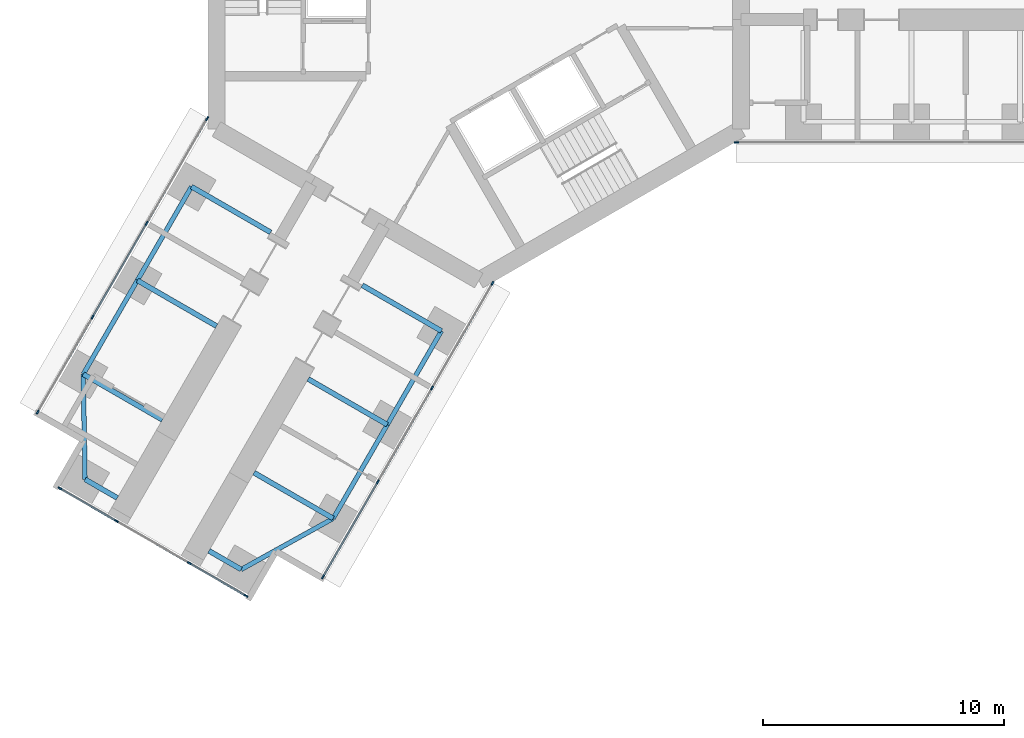
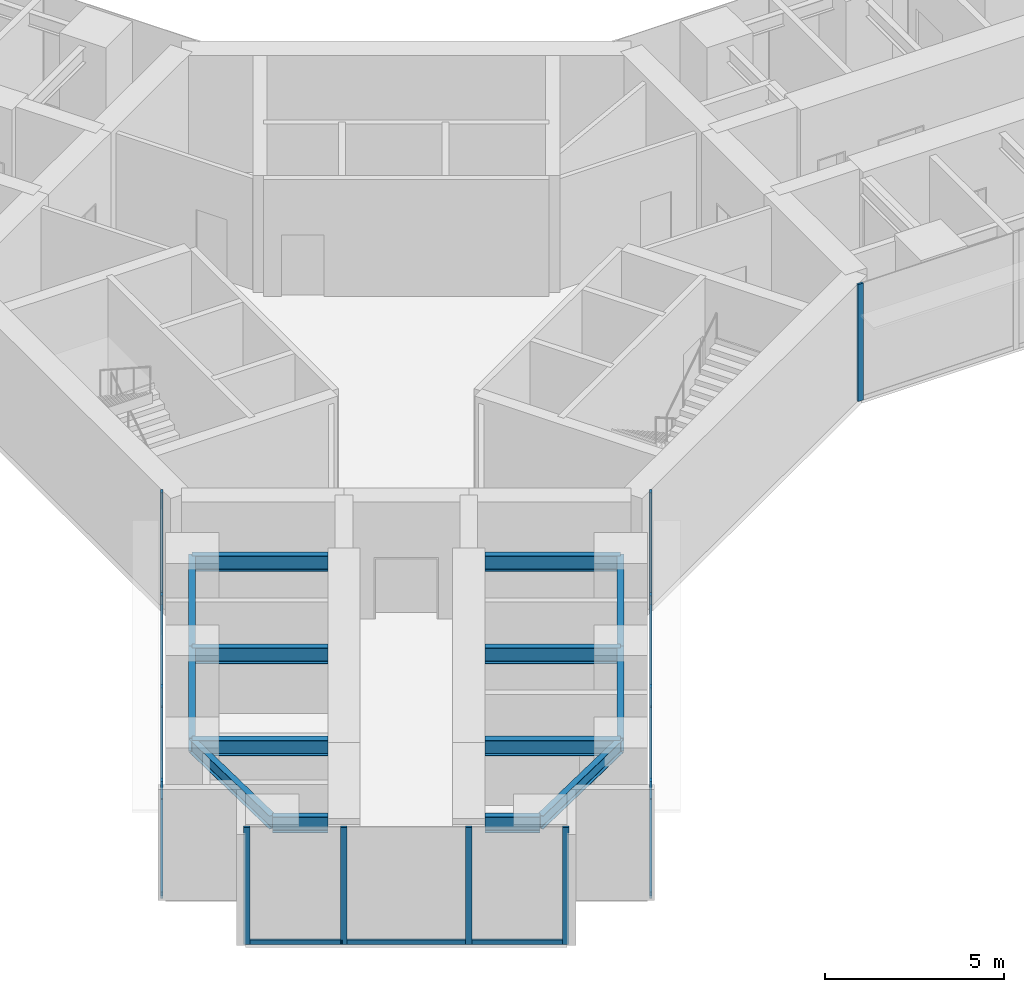
# One storey, part 2 of 22: 22 members, 14 beams, 4 elements without a shape of their own.
"""IFC4 building model written with IfcOpenShell, lengths in metres."""

import ifcopenshell
import ifcopenshell.guid

model = None  # the IFC model being written
_history = None  # IfcOwnerHistory: only IFC2X3 demands one
_inside = {}  # id of a spatial element -> (the spatial element, [elements in it])
_under = {}  # id of a project, library or spatial element -> (it, [spatial elements below it])
_declared = {}  # id of a project -> (the project, [libraries it declares])
_typed = {}  # id of a type object -> (the type object, [elements of that type])
_made_of = {}  # id of a material, layer set ... -> (it, [elements and type objects made of it])


def new_model(schema):
    """Start an empty IFC model of exactly this schema.

    Asked for "IFC4X3", IfcOpenShell would pick the latest addendum, in which some entities
    have other attributes; the version numbers below select the first issue.
    IFC2X3 requires an IfcOwnerHistory on every rooted entity: one is made here for all.
    """
    global model, _history
    if schema == "IFC4X3":
        model = ifcopenshell.file(schema_version=(4, 3, 0, 0))
    else:
        model = ifcopenshell.file(schema=schema)
    _inside.clear()
    _under.clear()
    _declared.clear()
    _typed.clear()
    _made_of.clear()
    _history = None
    if model.schema == "IFC2X3":
        org = make("IfcOrganization", Name="unknown")
        user = make(
            "IfcPersonAndOrganization",
            ThePerson=make("IfcPerson", FamilyName="unknown"),
            TheOrganization=org,
        )
        app = make(
            "IfcApplication",
            ApplicationDeveloper=org,
            Version="unknown",
            ApplicationFullName="unknown",
            ApplicationIdentifier="unknown",
        )
        _history = make(
            "IfcOwnerHistory",
            OwningUser=user,
            OwningApplication=app,
            ChangeAction="ADDED",
            CreationDate=0,
        )
    return model


def make(cls, **values):
    """One entity of the class cls with the attributes given. An attribute that is None is left unset."""
    return model.create_entity(
        cls, **{name: value for name, value in values.items() if value is not None}
    )


def rooted(cls, **values):
    """An entity with a GlobalId (a new one), such as an element, a storey or a relation."""
    return make(cls, GlobalId=ifcopenshell.guid.new(), OwnerHistory=_history, **values)


def si_unit(unit_type, name, prefix=None):
    """IfcSIUnit, for example si_unit("LENGTHUNIT", "METRE", prefix="MILLI")."""
    return make("IfcSIUnit", UnitType=unit_type, Prefix=prefix, Name=name)


def assignment(units):
    """IfcUnitAssignment: the units of a project."""
    return None if units is None else make("IfcUnitAssignment", Units=units)


def point(xyz):
    """IfcCartesianPoint."""
    return None if xyz is None else make("IfcCartesianPoint", Coordinates=xyz)


def direction(xyz):
    """IfcDirection."""
    return None if xyz is None else make("IfcDirection", DirectionRatios=xyz)


def frame(location, z_axis=None, x_axis=None):
    """IfcAxis2Placement3D, a coordinate frame: its origin and axes. An axis left out is left unset."""
    return make(
        "IfcAxis2Placement3D",
        Location=point(location),
        Axis=direction(z_axis),
        RefDirection=direction(x_axis),
    )


def frame_2d(location, x_axis=None):
    """IfcAxis2Placement2D, a coordinate frame in the plane: its origin and x axis."""
    return make(
        "IfcAxis2Placement2D", Location=point(location), RefDirection=direction(x_axis)
    )


def origin():
    """The frame at (0, 0, 0) with its axes left unset."""
    return frame((0.0, 0.0, 0.0))


def origin_2d():
    """The frame at (0, 0) in the plane with its x axis left unset."""
    return frame_2d((0.0, 0.0))


def place(relative_to, where):
    """IfcLocalPlacement: puts the frame where relative to a parent placement (None: the world)."""
    return make(
        "IfcLocalPlacement", PlacementRelTo=relative_to, RelativePlacement=where
    )


def context(
    kind, dimensions, precision=None, world=None, true_north=None, identifier=None
):
    """IfcGeometricRepresentationContext, for example the 3D "Model" context."""
    return make(
        "IfcGeometricRepresentationContext",
        ContextIdentifier=identifier,
        ContextType=kind,
        CoordinateSpaceDimension=dimensions,
        Precision=precision,
        WorldCoordinateSystem=world,
        TrueNorth=true_north,
    )


def subcontext(parent, identifier, kind, view, scale=None):
    """IfcGeometricRepresentationSubContext, for example "Body" below "Model"."""
    return make(
        "IfcGeometricRepresentationSubContext",
        ContextIdentifier=identifier,
        ContextType=kind,
        ParentContext=parent,
        TargetScale=scale,
        TargetView=view,
    )


def project(units=None, contexts=None):
    """IfcProject with its units and contexts."""
    return rooted(
        "IfcProject",
        Name="project",
        RepresentationContexts=contexts,
        UnitsInContext=assignment(units),
    )


def spatial(cls, under=None, at=None, **own):
    """A site, building, storey or space (cls), placed at a placement, below another one or the project."""
    s = rooted(cls, ObjectPlacement=at, **own)
    if under is not None:
        _under.setdefault(under.id(), (under, []))[1].append(s)
    return s


def profile(cls, at=None, kind="AREA", **sizes):
    """A parametric profile (cls). Its sizes go by their IFC names, for example OverallWidth=200.0."""
    return make(cls, ProfileType=kind, Position=at, **sizes)


def rectangle(**sizes):
    """IfcRectangleProfileDef."""
    return profile("IfcRectangleProfileDef", **sizes)


def i_section(**sizes):
    """IfcIShapeProfileDef."""
    return profile("IfcIShapeProfileDef", **sizes)


def extrude(swept, where, along, depth):
    """IfcExtrudedAreaSolid: the profile swept, set in the frame where, extruded along a direction by depth."""
    return make(
        "IfcExtrudedAreaSolid",
        SweptArea=swept,
        Position=where,
        ExtrudedDirection=direction(along),
        Depth=depth,
    )


def shape(context_of_items, identifier, shape_type, items):
    """IfcShapeRepresentation: the items that make up one representation, for example the "Body"."""
    return make(
        "IfcShapeRepresentation",
        ContextOfItems=context_of_items,
        RepresentationIdentifier=identifier,
        RepresentationType=shape_type,
        Items=items,
    )


def material(Name=None, Category=None):
    """IfcMaterial."""
    return make("IfcMaterial", Name=Name, Category=Category)


def material_profile(
    of_material, cross_section, Name=None, Category=None, Priority=None
):
    """IfcMaterialProfile: a cross section and its material."""
    return make(
        "IfcMaterialProfile",
        Name=Name,
        Material=of_material,
        Profile=cross_section,
        Priority=Priority,
        Category=Category,
    )


def profile_set(profiles, Name=None, composite=None):
    """IfcMaterialProfileSet."""
    return make(
        "IfcMaterialProfileSet",
        Name=Name,
        MaterialProfiles=profiles,
        CompositeProfile=composite,
    )


def made_of(thing, what):
    """Note that an element or type object is made of a material, layer set ...; save() writes the relation."""
    if what is not None:
        _made_of.setdefault(what.id(), (what, []))[1].append(thing)
    return thing


def type_object(cls, material=None, **own):
    """A type object (cls), such as IfcWallType, which elements share."""
    return made_of(rooted(cls, **own), material)


def element(
    cls,
    number,
    at=None,
    inside=None,
    cuts=None,
    type_object=None,
    material=None,
    context=None,
    identifier="Body",
    shape_type=None,
    held_by="IfcProductDefinitionShape",
    body=None,
    shapes=None,
    **own,
):
    """One element of the class cls, such as IfcWall. Its Tag is "e" and its number.

    at: its placement. inside: the storey or other place that contains it. cuts: it is an
    opening in that element (IfcRelVoidsElement). A single representation is given by context,
    identifier, shape_type and body (its items); several are given by shapes. held_by: the class
    of the entity that holds the representations. save() writes the other relations.
    """
    e = rooted(cls, Tag="e%d" % number, ObjectPlacement=at, **own)
    if body is not None:
        shapes = [shape(context, identifier, shape_type, body)]
    if shapes is not None:
        e.Representation = make(held_by, Representations=shapes)
    if inside is not None:
        _inside.setdefault(inside.id(), (inside, []))[1].append(e)
    if cuts is not None:
        rooted(
            "IfcRelVoidsElement", RelatingBuildingElement=cuts, RelatedOpeningElement=e
        )
    if type_object is not None:
        _typed.setdefault(type_object.id(), (type_object, []))[1].append(e)
    return made_of(e, material)


def aggregate(whole, parts):
    """IfcRelAggregates: a whole, such as a stair, and the parts it consists of."""
    return rooted("IfcRelAggregates", RelatingObject=whole, RelatedObjects=parts)


def save(model, path):
    """Write the relations noted so far, then the file.

    IfcRelAggregates (storeys below a building ...), IfcRelContainedInSpatialStructure (elements
    in a storey), IfcRelDefinesByType, IfcRelAssociatesMaterial and IfcRelDeclares: one each for
    every whole, place, type object, material and project.
    """
    for whole, parts in _under.values():
        aggregate(whole, parts)
    for where, things in _inside.values():
        rooted(
            "IfcRelContainedInSpatialStructure",
            RelatedElements=things,
            RelatingStructure=where,
        )
    for kind, things in _typed.values():
        rooted("IfcRelDefinesByType", RelatedObjects=things, RelatingType=kind)
    for what, things in _made_of.values():
        rooted("IfcRelAssociatesMaterial", RelatedObjects=things, RelatingMaterial=what)
    for by, libraries in _declared.values():
        rooted("IfcRelDeclares", RelatingContext=by, RelatedDefinitions=libraries)
    model.write(path)


model = new_model("IFC4")

# Units and contexts
model_context = context("Model", 3, precision=1e-05, world=origin(), true_north=direction((0.0, 1.0)))
body_context = subcontext(model_context, "Body", "Model", "MODEL_VIEW")
ifc_project = project(units=[si_unit("LENGTHUNIT", "METRE"), si_unit("AREAUNIT", "SQUARE_METRE"), si_unit("VOLUMEUNIT", "CUBIC_METRE"), si_unit("PLANEANGLEUNIT", "RADIAN"), si_unit("MASSUNIT", "GRAM", prefix="KILO")], contexts=[model_context])

# Site, building, storey
site_placement = place(None, origin())
site = spatial("IfcSite", under=ifc_project, at=site_placement, CompositionType="ELEMENT")
building_placement = place(site_placement, origin())
building = spatial("IfcBuilding", under=site, at=building_placement, Name="Upepo Twin Towers", CompositionType="ELEMENT")
storey_placement = place(building_placement, frame((0.0, 0.0, 44.5)))
storey = spatial("IfcBuildingStorey", under=building, at=storey_placement, Name="L10", CompositionType="ELEMENT", Elevation=44.5)

# Beams
ifc_material_1 = material(Name="Steel S355", Category="steel")
ifc_material_profile_1 = material_profile(ifc_material_1, i_section(OverallWidth=0.1904296875, OverallDepth=0.45703125, WebThickness=0.009033203125, FlangeThickness=0.014404296875, FilletRadius=0.01025390625, at=origin_2d()), Name="UB 457x191x74")
ifc_profile_set_1 = profile_set([ifc_material_profile_1], Name="Steel S355")
beam_type_1 = type_object("IfcBeamType", Name="Beam UB 457x191x74", PredefinedType="BEAM", material=ifc_profile_set_1)
beam_1_placement = place(storey_placement, frame((-1.553955078125, -14.69140625, 3.571533203125), z_axis=(-0.500013631625, -0.866017533419, 0.0), x_axis=(0.866017533419, -0.500013631625, 0.0)))
element("IfcBeam", 1, at=beam_1_placement, inside=storey, type_object=beam_type_1, Name="T1 edge beam CL 13.5-18.0", PredefinedType="BEAM", context=body_context, shape_type="SweptSolid", body=[
    extrude(i_section(OverallWidth=0.1904296875, OverallDepth=0.45703125, WebThickness=0.009033203125, FlangeThickness=0.014404296875, FilletRadius=0.01025390625, at=origin_2d()), origin(), (0.0, 0.0, 1.0), 4.499755859375),
])
beam_2_placement = place(storey_placement, frame((-3.803955078125, -18.58837890625, 3.571533203125), z_axis=(-0.499990139034, -0.866031096941, 0.0), x_axis=(0.866031096941, -0.499990139034, 0.0)))
element("IfcBeam", 2, at=beam_2_placement, inside=storey, type_object=beam_type_1, Name="T1 edge beam CL 18.0-22.5", PredefinedType="BEAM", context=body_context, shape_type="SweptSolid", body=[
    extrude(i_section(OverallWidth=0.1904296875, OverallDepth=0.45703125, WebThickness=0.009033203125, FlangeThickness=0.014404296875, FilletRadius=0.01025390625, at=origin_2d()), origin(), (0.0, 0.0, 1.0), 4.5),
])
beam_3_placement = place(storey_placement, frame((-6.053955078125, -22.485595703125, 3.571533203125), z_axis=(-0.874312600038, -0.485363242752, 0.0), x_axis=(0.485363242752, -0.874312600038, 0.0)))
element("IfcBeam", 3, at=beam_3_placement, inside=storey, type_object=beam_type_1, Name="T1 nose edge beam CL", PredefinedType="BEAM", context=body_context, shape_type="SweptSolid", body=[
    extrude(i_section(OverallWidth=0.1904296875, OverallDepth=0.45703125, WebThickness=0.009033203125, FlangeThickness=0.014404296875, FilletRadius=0.01025390625, at=origin_2d()), origin(), (0.0, 0.0, 1.0), 4.373046875),
])
beam_4_placement = place(storey_placement, frame((-11.946044921875, -8.69140625, 3.571533203125), z_axis=(-0.500013631625, -0.866017533419, 0.0), x_axis=(0.866017533419, -0.500013631625, 0.0)))
element("IfcBeam", 4, at=beam_4_placement, inside=storey, type_object=beam_type_1, Name="T1 edge beam CR 13.5-18.0", PredefinedType="BEAM", context=body_context, shape_type="SweptSolid", body=[
    extrude(i_section(OverallWidth=0.1904296875, OverallDepth=0.45703125, WebThickness=0.009033203125, FlangeThickness=0.014404296875, FilletRadius=0.01025390625, at=origin_2d()), origin(), (0.0, 0.0, 1.0), 4.499755859375),
])
beam_5_placement = place(storey_placement, frame((-14.196044921875, -12.58837890625, 3.571533203125), z_axis=(-0.499990139034, -0.866031096941, 0.0), x_axis=(0.866031096941, -0.499990139034, 0.0)))
element("IfcBeam", 5, at=beam_5_placement, inside=storey, type_object=beam_type_1, Name="T1 edge beam CR 18.0-22.5", PredefinedType="BEAM", context=body_context, shape_type="SweptSolid", body=[
    extrude(i_section(OverallWidth=0.1904296875, OverallDepth=0.45703125, WebThickness=0.009033203125, FlangeThickness=0.014404296875, FilletRadius=0.01025390625, at=origin_2d()), origin(), (0.0, 0.0, 1.0), 4.5),
])
beam_6_placement = place(storey_placement, frame((-16.446044921875, -16.485595703125, 3.571533203125), z_axis=(0.016803880528, -0.999858804832, 0.0), x_axis=(0.999858804832, 0.016803880528, 0.0)))
element("IfcBeam", 6, at=beam_6_placement, inside=storey, type_object=beam_type_1, Name="T1 nose edge beam CR", PredefinedType="BEAM", context=body_context, shape_type="SweptSolid", body=[
    extrude(i_section(OverallWidth=0.1904296875, OverallDepth=0.45703125, WebThickness=0.009033203125, FlangeThickness=0.014404296875, FilletRadius=0.01025390625, at=origin_2d()), origin(), (0.0, 0.0, 1.0), 4.373291015625),
])
ifc_material_2 = material(Name="Steel S355", Category="steel")
ifc_material_profile_2 = material_profile(ifc_material_2, i_section(OverallWidth=0.2099609375, OverallDepth=0.53662109375, WebThickness=0.0107421875, FlangeThickness=0.017333984375, FilletRadius=0.0126953125, at=origin_2d()), Name="UB 533x210x101")
ifc_profile_set_2 = profile_set([ifc_material_profile_2], Name="Steel S355")
beam_type_2 = type_object("IfcBeamType", Name="Beam UB 533x210x101", PredefinedType="BEAM", material=ifc_profile_set_2)
for number, where, z_axis, x_axis, name in (
    (7, (-9.87744140625, -24.608154296875, 3.53173828125), (-0.866043940782, 0.499967891604, 0.0), (-0.499967891604, -0.866043940782, 0.0), "T1 nose beam CL"),
    (8, (-16.37255859375, -20.858154296875, 3.53173828125), (0.866043940782, -0.499967891604, 0.0), (0.499967891604, 0.866043940782, 0.0), "T1 nose beam CR"),
):
    element("IfcBeam", number, at=place(storey_placement, frame(where, z_axis=z_axis, x_axis=x_axis)), inside=storey, type_object=beam_type_2, Name=name, PredefinedType="BEAM", context=body_context, shape_type="SweptSolid", body=[
        extrude(i_section(OverallWidth=0.2099609375, OverallDepth=0.53662109375, WebThickness=0.0107421875, FlangeThickness=0.017333984375, FilletRadius=0.0126953125, at=origin_2d()), origin(), (0.0, 0.0, 1.0), 1.5498046875),
    ])
ifc_material_3 = material(Name="Steel S355", Category="steel")
ifc_material_profile_3 = material_profile(ifc_material_3, i_section(OverallWidth=0.209228515625, OverallDepth=0.533203125, WebThickness=0.010009765625, FlangeThickness=0.015625, FilletRadius=0.0126953125, at=origin_2d()), Name="UB 533x210x92")
ifc_profile_set_3 = profile_set([ifc_material_profile_3], Name="Steel S355")
beam_type_3 = type_object("IfcBeamType", Name="Beam UB 533x210x92", PredefinedType="BEAM", material=ifc_profile_set_3)
beam_7_placement = place(storey_placement, frame((-1.553955078125, -14.69140625, 3.533447265625), z_axis=(-0.866000483506, 0.500043160704, 0.0), x_axis=(-0.500043160704, -0.866000483506, 0.0)))
element("IfcBeam", 9, at=beam_7_placement, inside=storey, type_object=beam_type_3, Name="T1 girder CL at 13.5", PredefinedType="BEAM", context=body_context, shape_type="SweptSolid", body=[
    extrude(i_section(OverallWidth=0.209228515625, OverallDepth=0.533203125, WebThickness=0.010009765625, FlangeThickness=0.015625, FilletRadius=0.0126953125, at=origin_2d()), origin(), (0.0, 0.0, 1.0), 3.800048828125),
])
for number, where, z_axis, x_axis, name in (
    (10, (-3.803955078125, -18.58837890625, 3.533447265625), (-0.866028304915, 0.499994975061, 0.0), (-0.499994975061, -0.866028304915, 0.0), "T1 girder CL at 18.0"),
    (11, (-6.053955078125, -22.485595703125, 3.533447265625), (-0.866028304915, 0.499994975061, 0.0), (-0.499994975061, -0.866028304915, 0.0), "T1 girder CL at 22.5"),
    (12, (-11.946044921875, -8.69140625, 3.533447265625), (0.866028304915, -0.499994975061, 0.0), (0.499994975061, 0.866028304915, 0.0), "T1 girder CR at 13.5"),
):
    element("IfcBeam", number, at=place(storey_placement, frame(where, z_axis=z_axis, x_axis=x_axis)), inside=storey, type_object=beam_type_3, Name=name, PredefinedType="BEAM", context=body_context, shape_type="SweptSolid", body=[
        extrude(i_section(OverallWidth=0.209228515625, OverallDepth=0.533203125, WebThickness=0.010009765625, FlangeThickness=0.015625, FilletRadius=0.0126953125, at=origin_2d()), origin(), (0.0, 0.0, 1.0), 3.7998046875),
    ])
beam_8_placement = place(storey_placement, frame((-14.196044921875, -12.58837890625, 3.533447265625), z_axis=(0.866000483506, -0.500043160704, 0.0), x_axis=(0.500043160704, 0.866000483506, 0.0)))
element("IfcBeam", 13, at=beam_8_placement, inside=storey, type_object=beam_type_3, Name="T1 girder CR at 18.0", PredefinedType="BEAM", context=body_context, shape_type="SweptSolid", body=[
    extrude(i_section(OverallWidth=0.209228515625, OverallDepth=0.533203125, WebThickness=0.010009765625, FlangeThickness=0.015625, FilletRadius=0.0126953125, at=origin_2d()), origin(), (0.0, 0.0, 1.0), 3.800048828125),
])
beam_9_placement = place(storey_placement, frame((-16.446044921875, -16.485595703125, 3.533447265625), z_axis=(0.866028304915, -0.499994975061, 0.0), x_axis=(0.499994975061, 0.866028304915, 0.0)))
element("IfcBeam", 14, at=beam_9_placement, inside=storey, type_object=beam_type_3, Name="T1 girder CR at 22.5", PredefinedType="BEAM", context=body_context, shape_type="SweptSolid", body=[
    extrude(i_section(OverallWidth=0.209228515625, OverallDepth=0.533203125, WebThickness=0.010009765625, FlangeThickness=0.015625, FilletRadius=0.0126953125, at=origin_2d()), origin(), (0.0, 0.0, 1.0), 3.7998046875),
])

# Curtain wall, member
ifc_material_4 = material(Name="Aluminium and fritted glass", Category="aluminium")
curtain_wall_type = type_object("IfcCurtainWallType", Name="Tower curtain wall TW1, fritted glass", PredefinedType="NOTDEFINED", material=ifc_material_4)
curtain_wall_1_placement = place(storey_placement, origin())
curtain_wall_1 = element("IfcCurtainWall", 15, at=curtain_wall_1_placement, inside=storey, type_object=curtain_wall_type, Name="T1 L10 wing A flank R curtain wall", PredefinedType="NOTDEFINED")
ifc_material_5 = material(Name="Aluminium mullion", Category="aluminium")
ifc_material_profile_4 = material_profile(ifc_material_5, rectangle(XDim=0.06494140625, YDim=0.179931640625, at=origin_2d()), Name="MULLION 65x180")
ifc_profile_set_4 = profile_set([ifc_material_profile_4], Name="Aluminium mullion")
member_type_1 = type_object("IfcMemberType", Name="Mullion 65x180 TW1", PredefinedType="MULLION", material=ifc_profile_set_4)
member_1_placement = place(storey_placement, frame((10.7197265625, -6.85009765625, 0.0), z_axis=(0.0, 0.0, 1.0), x_axis=(0.0, -1.0, 0.0)))
member_1 = element("IfcMember", 16, at=member_1_placement, type_object=member_type_1, Name="T1 L10 wing A flank R curtain wall mullion 4", PredefinedType="MULLION", context=body_context, shape_type="SweptSolid", body=[
    extrude(rectangle(XDim=0.06494140625, YDim=0.179931640625, at=origin_2d()), origin(), (0.0, 0.0, 1.0), 4.0),
])
aggregate(curtain_wall_1, [member_1])

# Curtain wall, members
curtain_wall_2_placement = place(storey_placement, origin())
curtain_wall_2 = element("IfcCurtainWall", 17, at=curtain_wall_2_placement, inside=storey, type_object=curtain_wall_type, Name="T1 L10 wing C flank L curtain wall", PredefinedType="NOTDEFINED")
member_2_placement = place(storey_placement, frame((0.572509765625, -12.70849609375, 0.0), z_axis=(0.0, 0.0, 1.0), x_axis=(0.866025389682, -0.500000024426, 0.0)))
member_2 = element("IfcMember", 18, at=member_2_placement, type_object=member_type_1, Name="T1 L10 wing C flank L curtain wall mullion 1", PredefinedType="MULLION", context=body_context, shape_type="SweptSolid", body=[
    extrude(rectangle(XDim=0.06494140625, YDim=0.179931640625, at=origin_2d()), origin(), (0.0, 0.0, 1.0), 4.0),
])
member_3_placement = place(storey_placement, frame((-1.942626953125, -17.06494140625, 0.0), z_axis=(0.0, 0.0, 1.0), x_axis=(0.866025389682, -0.500000024426, 0.0)))
member_3 = element("IfcMember", 19, at=member_3_placement, type_object=member_type_1, Name="T1 L10 wing C flank L curtain wall mullion 2", PredefinedType="MULLION", context=body_context, shape_type="SweptSolid", body=[
    extrude(rectangle(XDim=0.06494140625, YDim=0.179931640625, at=origin_2d()), origin(), (0.0, 0.0, 1.0), 4.0),
])
member_4_placement = place(storey_placement, frame((-4.192626953125, -20.9619140625, 0.0), z_axis=(0.0, 0.0, 1.0), x_axis=(0.866025389682, -0.500000024426, 0.0)))
member_4 = element("IfcMember", 20, at=member_4_placement, type_object=member_type_1, Name="T1 L10 wing C flank L curtain wall mullion 3", PredefinedType="MULLION", context=body_context, shape_type="SweptSolid", body=[
    extrude(rectangle(XDim=0.06494140625, YDim=0.179931640625, at=origin_2d()), origin(), (0.0, 0.0, 1.0), 4.0),
])
member_5_placement = place(storey_placement, frame((-6.4765625, -24.91748046875, 0.0), z_axis=(0.0, 0.0, 1.0), x_axis=(0.866025389682, -0.500000024426, 0.0)))
member_5 = element("IfcMember", 21, at=member_5_placement, type_object=member_type_1, Name="T1 L10 wing C flank L curtain wall mullion 4", PredefinedType="MULLION", context=body_context, shape_type="SweptSolid", body=[
    extrude(rectangle(XDim=0.06494140625, YDim=0.179931640625, at=origin_2d()), origin(), (0.0, 0.0, 1.0), 4.0),
])

curtain_wall_3_placement = place(storey_placement, origin())
curtain_wall_3 = element("IfcCurtainWall", 22, at=curtain_wall_3_placement, inside=storey, type_object=curtain_wall_type, Name="T1 L10 wing C flank R curtain wall", PredefinedType="NOTDEFINED")
member_6_placement = place(storey_placement, frame((-18.341064453125, -18.067626953125, 0.0), z_axis=(0.0, 0.0, 1.0), x_axis=(-0.866025389682, 0.500000024426, 0.0)))
member_6 = element("IfcMember", 23, at=member_6_placement, type_object=member_type_1, Name="T1 L10 wing C flank R curtain wall mullion 1", PredefinedType="MULLION", context=body_context, shape_type="SweptSolid", body=[
    extrude(rectangle(XDim=0.06494140625, YDim=0.179931640625, at=origin_2d()), origin(), (0.0, 0.0, 1.0), 4.0),
])
member_7_placement = place(storey_placement, frame((-16.057373046875, -14.112060546875, 0.0), z_axis=(0.0, 0.0, 1.0), x_axis=(-0.866025389682, 0.500000024426, 0.0)))
member_7 = element("IfcMember", 24, at=member_7_placement, type_object=member_type_1, Name="T1 L10 wing C flank R curtain wall mullion 2", PredefinedType="MULLION", context=body_context, shape_type="SweptSolid", body=[
    extrude(rectangle(XDim=0.06494140625, YDim=0.179931640625, at=origin_2d()), origin(), (0.0, 0.0, 1.0), 4.0),
])
member_8_placement = place(storey_placement, frame((-13.807373046875, -10.21484375, 0.0), z_axis=(0.0, 0.0, 1.0), x_axis=(-0.866025389682, 0.500000024426, 0.0)))
member_8 = element("IfcMember", 25, at=member_8_placement, type_object=member_type_1, Name="T1 L10 wing C flank R curtain wall mullion 3", PredefinedType="MULLION", context=body_context, shape_type="SweptSolid", body=[
    extrude(rectangle(XDim=0.06494140625, YDim=0.179931640625, at=origin_2d()), origin(), (0.0, 0.0, 1.0), 4.0),
])
member_9_placement = place(storey_placement, frame((-11.2919921875, -5.8583984375, 0.0), z_axis=(0.0, 0.0, 1.0), x_axis=(-0.866025389682, 0.500000024426, 0.0)))
member_9 = element("IfcMember", 26, at=member_9_placement, type_object=member_type_1, Name="T1 L10 wing C flank R curtain wall mullion 4", PredefinedType="MULLION", context=body_context, shape_type="SweptSolid", body=[
    extrude(rectangle(XDim=0.06494140625, YDim=0.179931640625, at=origin_2d()), origin(), (0.0, 0.0, 1.0), 4.0),
])

curtain_wall_4_placement = place(storey_placement, origin())
curtain_wall_4 = element("IfcCurtainWall", 27, at=curtain_wall_4_placement, inside=storey, type_object=curtain_wall_type, Name="T1 L10 wing C nose curtain wall", PredefinedType="NOTDEFINED")
member_10_placement = place(storey_placement, frame((-17.4189453125, -21.235595703125, 0.0), z_axis=(0.0, 0.0, 1.0), x_axis=(0.500000030502, 0.866025386174, 0.0)))
member_10 = element("IfcMember", 28, at=member_10_placement, type_object=member_type_1, Name="T1 L10 wing C nose curtain wall mullion 1", PredefinedType="MULLION", context=body_context, shape_type="SweptSolid", body=[
    extrude(rectangle(XDim=0.06494140625, YDim=0.179931640625, at=origin_2d()), origin(), (0.0, 0.0, 1.0), 4.0),
])
member_11_placement = place(storey_placement, frame((-15.0654296875, -22.59423828125, 0.0), z_axis=(0.0, 0.0, 1.0), x_axis=(0.500000030502, 0.866025386174, 0.0)))
member_11 = element("IfcMember", 29, at=member_11_placement, type_object=member_type_1, Name="T1 L10 wing C nose curtain wall mullion 2", PredefinedType="MULLION", context=body_context, shape_type="SweptSolid", body=[
    extrude(rectangle(XDim=0.06494140625, YDim=0.179931640625, at=origin_2d()), origin(), (0.0, 0.0, 1.0), 4.0),
])
member_12_placement = place(storey_placement, frame((-12.034423828125, -24.34423828125, 0.0), z_axis=(0.0, 0.0, 1.0), x_axis=(0.500000030502, 0.866025386174, 0.0)))
member_12 = element("IfcMember", 30, at=member_12_placement, type_object=member_type_1, Name="T1 L10 wing C nose curtain wall mullion 3", PredefinedType="MULLION", context=body_context, shape_type="SweptSolid", body=[
    extrude(rectangle(XDim=0.06494140625, YDim=0.179931640625, at=origin_2d()), origin(), (0.0, 0.0, 1.0), 4.0),
])
member_13_placement = place(storey_placement, frame((-9.68115234375, -25.703125, 0.0), z_axis=(0.0, 0.0, 1.0), x_axis=(0.500000030502, 0.866025386174, 0.0)))
member_13 = element("IfcMember", 31, at=member_13_placement, type_object=member_type_1, Name="T1 L10 wing C nose curtain wall mullion 4", PredefinedType="MULLION", context=body_context, shape_type="SweptSolid", body=[
    extrude(rectangle(XDim=0.06494140625, YDim=0.179931640625, at=origin_2d()), origin(), (0.0, 0.0, 1.0), 4.0),
])

# Member
ifc_material_6 = material(Name="Aluminium transom", Category="aluminium")
ifc_material_profile_5 = material_profile(ifc_material_6, rectangle(XDim=0.06494140625, YDim=0.14990234375, at=origin_2d()), Name="TRANSOM 65x150")
ifc_profile_set_5 = profile_set([ifc_material_profile_5], Name="Aluminium transom")
member_type_2 = type_object("IfcMemberType", Name="Transom 65x150 TW1", PredefinedType="USERDEFINED", material=ifc_profile_set_5)
member_14_placement = place(storey_placement, frame((0.55615234375, -12.736572265625, 0.074951171875), z_axis=(-0.499983492876, -0.866034933967, 0.0), x_axis=(0.866034933967, -0.499983492876, 0.0)))
member_14 = element("IfcMember", 32, at=member_14_placement, type_object=member_type_2, Name="T1 L10 wing C flank L curtain wall transom 1", ObjectType="TRANSOM", PredefinedType="USERDEFINED", context=body_context, shape_type="SweptSolid", body=[
    extrude(rectangle(XDim=0.06494140625, YDim=0.14990234375, at=origin_2d()), origin(), (0.0, 0.0, 1.0), 4.965576171875),
])

member_15_placement = place(storey_placement, frame((-1.958984375, -17.093017578125, 0.074951171875), z_axis=(-0.500005184116, -0.866022410713, 0.0), x_axis=(0.866022410713, -0.500005184116, 0.0)))
member_15 = element("IfcMember", 33, at=member_15_placement, type_object=member_type_2, Name="T1 L10 wing C flank L curtain wall transom 2", ObjectType="TRANSOM", PredefinedType="USERDEFINED", context=body_context, shape_type="SweptSolid", body=[
    extrude(rectangle(XDim=0.06494140625, YDim=0.14990234375, at=origin_2d()), origin(), (0.0, 0.0, 1.0), 4.43505859375),
])

member_16_placement = place(storey_placement, frame((-4.208984375, -20.990234375, 0.074951171875), z_axis=(-0.500005646842, -0.866022143554, 0.0), x_axis=(0.866022143554, -0.500005646842, 0.0)))
member_16 = element("IfcMember", 34, at=member_16_placement, type_object=member_type_2, Name="T1 L10 wing C flank L curtain wall transom 3", ObjectType="TRANSOM", PredefinedType="USERDEFINED", context=body_context, shape_type="SweptSolid", body=[
    extrude(rectangle(XDim=0.06494140625, YDim=0.14990234375, at=origin_2d()), origin(), (0.0, 0.0, 1.0), 4.50244140625),
])

aggregate(curtain_wall_2, [member_2, member_3, member_4, member_5, member_14, member_15, member_16])

member_17_placement = place(storey_placement, frame((-18.32470703125, -18.03955078125, 0.074951171875), z_axis=(0.499982167615, 0.866035699072, 0.0), x_axis=(-0.866035699072, 0.499982167615, 0.0)))
member_17 = element("IfcMember", 35, at=member_17_placement, type_object=member_type_2, Name="T1 L10 wing C flank R curtain wall transom 1", ObjectType="TRANSOM", PredefinedType="USERDEFINED", context=body_context, shape_type="SweptSolid", body=[
    extrude(rectangle(XDim=0.06494140625, YDim=0.14990234375, at=origin_2d()), origin(), (0.0, 0.0, 1.0), 4.502685546875),
])

member_18_placement = place(storey_placement, frame((-16.041015625, -14.083984375, 0.074951171875), z_axis=(0.500005184116, 0.866022410713, 0.0), x_axis=(-0.866022410713, 0.500005184116, 0.0)))
member_18 = element("IfcMember", 36, at=member_18_placement, type_object=member_type_2, Name="T1 L10 wing C flank R curtain wall transom 2", ObjectType="TRANSOM", PredefinedType="USERDEFINED", context=body_context, shape_type="SweptSolid", body=[
    extrude(rectangle(XDim=0.06494140625, YDim=0.14990234375, at=origin_2d()), origin(), (0.0, 0.0, 1.0), 4.43505859375),
])

member_19_placement = place(storey_placement, frame((-13.791015625, -10.186767578125, 0.074951171875), z_axis=(0.50000478328, 0.866022642139, 0.0), x_axis=(-0.866022642139, 0.50000478328, 0.0)))
member_19 = element("IfcMember", 37, at=member_19_placement, type_object=member_type_2, Name="T1 L10 wing C flank R curtain wall transom 3", ObjectType="TRANSOM", PredefinedType="USERDEFINED", context=body_context, shape_type="SweptSolid", body=[
    extrude(rectangle(XDim=0.06494140625, YDim=0.14990234375, at=origin_2d()), origin(), (0.0, 0.0, 1.0), 4.96533203125),
])

aggregate(curtain_wall_3, [member_6, member_7, member_8, member_9, member_17, member_18, member_19])

member_20_placement = place(storey_placement, frame((-17.390869140625, -21.251708984375, 0.074951171875), z_axis=(0.865997053448, -0.500049101008, 0.0), x_axis=(0.500049101008, 0.865997053448, 0.0)))
member_20 = element("IfcMember", 38, at=member_20_placement, type_object=member_type_2, Name="T1 L10 wing C nose curtain wall transom 1", ObjectType="TRANSOM", PredefinedType="USERDEFINED", context=body_context, shape_type="SweptSolid", body=[
    extrude(rectangle(XDim=0.06494140625, YDim=0.14990234375, at=origin_2d()), origin(), (0.0, 0.0, 1.0), 2.652587890625),
])

member_21_placement = place(storey_placement, frame((-15.037353515625, -22.610595703125, 0.074951171875), z_axis=(0.866025804792, -0.499999305434, 0.0), x_axis=(0.499999305434, 0.866025804792, 0.0)))
member_21 = element("IfcMember", 39, at=member_21_placement, type_object=member_type_2, Name="T1 L10 wing C nose curtain wall transom 2", ObjectType="TRANSOM", PredefinedType="USERDEFINED", context=body_context, shape_type="SweptSolid", body=[
    extrude(rectangle(XDim=0.06494140625, YDim=0.14990234375, at=origin_2d()), origin(), (0.0, 0.0, 1.0), 3.43505859375),
])

member_22_placement = place(storey_placement, frame((-12.00634765625, -24.360595703125, 0.074951171875), z_axis=(0.866036909293, -0.499980071345, 0.0), x_axis=(0.499980071345, 0.866036909293, 0.0)))
member_22 = element("IfcMember", 40, at=member_22_placement, type_object=member_type_2, Name="T1 L10 wing C nose curtain wall transom 3", ObjectType="TRANSOM", PredefinedType="USERDEFINED", context=body_context, shape_type="SweptSolid", body=[
    extrude(rectangle(XDim=0.06494140625, YDim=0.14990234375, at=origin_2d()), origin(), (0.0, 0.0, 1.0), 2.65234375),
])

aggregate(curtain_wall_4, [member_10, member_11, member_12, member_13, member_20, member_21, member_22])

save(model, "model.ifc")
